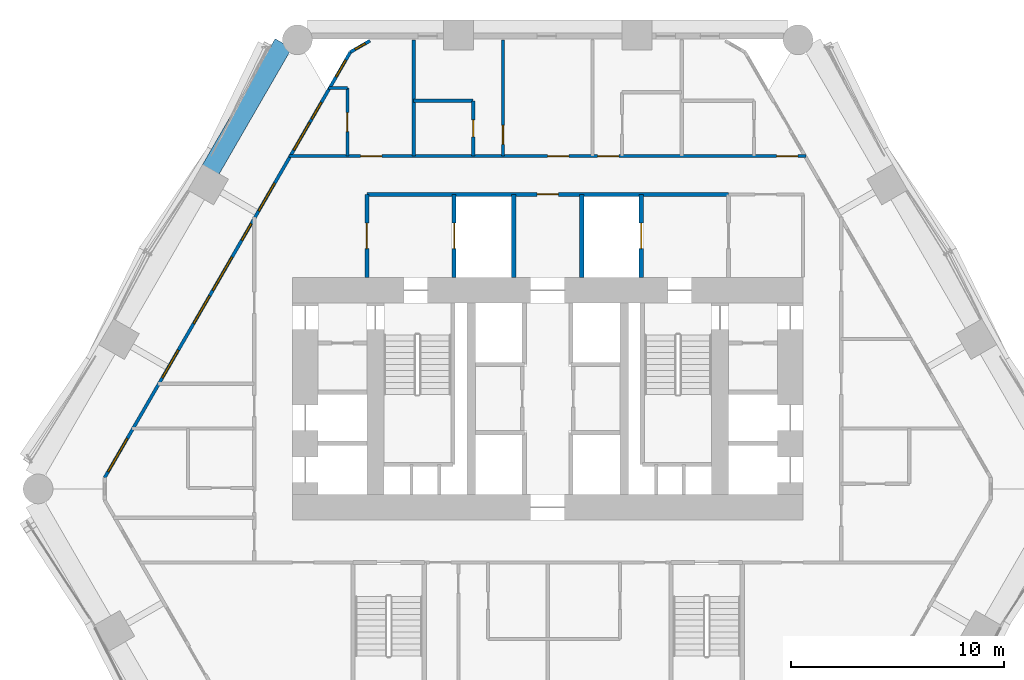
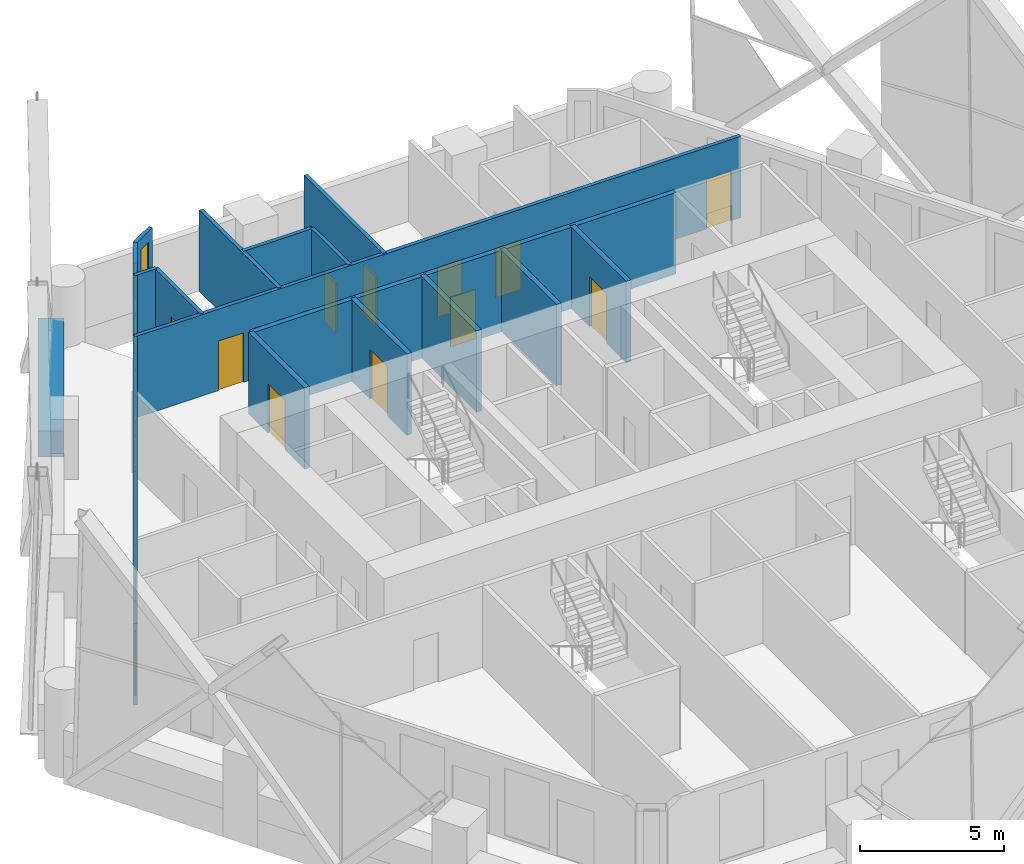
# One storey, part 14 of 22: 16 walls, 11 doors, 10 windows, 21 openings.
"""IFC4 building model written with IfcOpenShell, lengths in metres."""

from ifc_helpers import new_model, si_unit, direction, frame, frame_2d, origin, place, context, subcontext, project, spatial, rectangle, extrude, material, layer, layer_set, type_object, element, fill, save


model = new_model("IFC4")

# Units and contexts
model_context = context("Model", 3, precision=1e-05, world=origin(), true_north=direction((0.0, 1.0)))
body_context = subcontext(model_context, "Body", "Model", "MODEL_VIEW")
ifc_project = project(units=[si_unit("LENGTHUNIT", "METRE"), si_unit("AREAUNIT", "SQUARE_METRE"), si_unit("VOLUMEUNIT", "CUBIC_METRE"), si_unit("PLANEANGLEUNIT", "RADIAN"), si_unit("MASSUNIT", "GRAM", prefix="KILO")], contexts=[model_context])

# Site, building, storey
site_placement = place(None, origin())
site = spatial("IfcSite", under=ifc_project, at=site_placement, CompositionType="ELEMENT")
building_placement = place(site_placement, origin())
building = spatial("IfcBuilding", under=site, at=building_placement, Name="Ostrander Bayou Hotel Tower", CompositionType="ELEMENT")
storey_placement = place(building_placement, frame((0.0, 0.0, 46.75)))
storey = spatial("IfcBuildingStorey", under=building, at=storey_placement, Name="L11", CompositionType="ELEMENT", Elevation=46.75)

# Wall, openings, windows
ifc_material_1 = material(Name="Aluminium framed insulated wall", Category="aluminium")
ifc_layer_1 = layer(ifc_material_1, 0.14990234375)
ifc_layer_set_1 = layer_set([ifc_layer_1], Name="GW1 glass-line wall 150 mm")
wall_type_1 = type_object("IfcWallType", Name="GW1 glass-line wall 150 mm", PredefinedType="SOLIDWALL", material=ifc_layer_set_1)
wall_1_placement = place(storey_placement, frame((-9.27587890625, 20.29248046875, 0.0), z_axis=(0.0, 0.0, 1.0), x_axis=(-0.500006057782, -0.866021906294, 0.0)))
wall_1 = element("IfcWall", 1, at=wall_1_placement, inside=storey, type_object=wall_type_1, Name="GW1 L11 NW 1", PredefinedType="SOLIDWALL", context=body_context, shape_type="SweptSolid", body=[
    extrude(rectangle(XDim=23.100341796875, YDim=0.14990234375, at=frame_2d((11.55029296875, 0.0))), origin(), (0.0, 0.0, 1.0), 3.449951171875),
])
opening_1_placement = place(wall_1_placement, frame((2.73583984375, 0.0, 0.14990234375)))
opening_1 = element("IfcOpeningElement", 2, at=opening_1_placement, cuts=wall_1, Name="Opening W15", PredefinedType="OPENING", context=body_context, shape_type="SweptSolid", body=[
    extrude(rectangle(XDim=0.89990234375, YDim=2.85009765625, at=frame_2d((0.449951171875, 1.425048828125))), frame((0.0, 0.074951171875, 0.0), z_axis=(0.0, -1.0, 0.0), x_axis=(1.0, 0.0, 0.0)), (0.0, 0.0, 1.0), 0.14990234375),
])
opening_2_placement = place(wall_1_placement, frame((3.825439453125, 0.0, 0.14990234375)))
opening_2 = element("IfcOpeningElement", 3, at=opening_2_placement, cuts=wall_1, Name="Opening W11", PredefinedType="OPENING", context=body_context, shape_type="SweptSolid", body=[
    extrude(rectangle(XDim=1.5, YDim=2.85009765625, at=frame_2d((0.75, 1.425048828125))), frame((0.0, 0.074951171875, 0.0), z_axis=(0.0, -1.0, 0.0), x_axis=(1.0, 0.0, 0.0)), (0.0, 0.0, 1.0), 0.14990234375),
])
opening_3_placement = place(wall_1_placement, frame((9.31982421875, 0.0, 0.14990234375)))
opening_3 = element("IfcOpeningElement", 4, at=opening_3_placement, cuts=wall_1, Name="Opening W15", PredefinedType="OPENING", context=body_context, shape_type="SweptSolid", body=[
    extrude(rectangle(XDim=0.89990234375, YDim=2.85009765625, at=frame_2d((0.449951171875, 1.425048828125))), frame((0.0, 0.074951171875, 0.0), z_axis=(0.0, -1.0, 0.0), x_axis=(1.0, 0.0, 0.0)), (0.0, 0.0, 1.0), 0.14990234375),
])
opening_4_placement = place(wall_1_placement, frame((7.119873046875, 0.0, 0.14990234375)))
opening_4 = element("IfcOpeningElement", 5, at=opening_4_placement, cuts=wall_1, Name="Opening W11", PredefinedType="OPENING", context=body_context, shape_type="SweptSolid", body=[
    extrude(rectangle(XDim=1.5, YDim=2.85009765625, at=frame_2d((0.75, 1.425048828125))), frame((0.0, 0.074951171875, 0.0), z_axis=(0.0, -1.0, 0.0), x_axis=(1.0, 0.0, 0.0)), (0.0, 0.0, 1.0), 0.14990234375),
])
opening_5_placement = place(wall_1_placement, frame((11.1357421875, 0.0, 0.14990234375)))
opening_5 = element("IfcOpeningElement", 6, at=opening_5_placement, cuts=wall_1, Name="Opening W1", PredefinedType="OPENING", context=body_context, shape_type="SweptSolid", body=[
    extrude(rectangle(XDim=1.800048828125, YDim=2.85009765625, at=frame_2d((0.89990234375, 1.425048828125))), frame((0.0, 0.074951171875, 0.0), z_axis=(0.0, -1.0, 0.0), x_axis=(1.0, 0.0, 0.0)), (0.0, 0.0, 1.0), 0.14990234375),
])
opening_6_placement = place(wall_1_placement, frame((13.23583984375, 0.0, 0.14990234375)))
opening_6 = element("IfcOpeningElement", 7, at=opening_6_placement, cuts=wall_1, Name="Opening W11", PredefinedType="OPENING", context=body_context, shape_type="SweptSolid", body=[
    extrude(rectangle(XDim=1.5, YDim=2.85009765625, at=frame_2d((0.75, 1.425048828125))), frame((0.0, 0.074951171875, 0.0), z_axis=(0.0, -1.0, 0.0), x_axis=(1.0, 0.0, 0.0)), (0.0, 0.0, 1.0), 0.14990234375),
])
opening_7_placement = place(wall_1_placement, frame((16.180419921875, 0.0, 0.14990234375)))
opening_7 = element("IfcOpeningElement", 8, at=opening_7_placement, cuts=wall_1, Name="Opening W11", PredefinedType="OPENING", context=body_context, shape_type="SweptSolid", body=[
    extrude(rectangle(XDim=1.5, YDim=2.85009765625, at=frame_2d((0.75, 1.425048828125))), frame((0.0, 0.074951171875, 0.0), z_axis=(0.0, -1.0, 0.0), x_axis=(1.0, 0.0, 0.0)), (0.0, 0.0, 1.0), 0.14990234375),
])
opening_8_placement = place(wall_1_placement, frame((0.440185546875, 0.0, 0.14990234375)))
opening_8 = element("IfcOpeningElement", 9, at=opening_8_placement, cuts=wall_1, Name="Opening W15", PredefinedType="OPENING", context=body_context, shape_type="SweptSolid", body=[
    extrude(rectangle(XDim=0.89990234375, YDim=2.72998046875, at=frame_2d((0.449951171875, 1.364990234375))), frame((0.0, 0.074951171875, 0.0), z_axis=(0.0, -1.0, 0.0), x_axis=(1.0, 0.0, 0.0)), (0.0, 0.0, 1.0), 0.14990234375),
])
opening_9_placement = place(wall_1_placement, frame((20.97802734375, 0.0, 0.14990234375)))
opening_9 = element("IfcOpeningElement", 10, at=opening_9_placement, cuts=wall_1, Name="Opening W1", PredefinedType="OPENING", context=body_context, shape_type="SweptSolid", body=[
    extrude(rectangle(XDim=1.800048828125, YDim=2.72998046875, at=frame_2d((0.89990234375, 1.364990234375))), frame((0.0, 0.074951171875, 0.0), z_axis=(0.0, -1.0, 0.0), x_axis=(1.0, 0.0, 0.0)), (0.0, 0.0, 1.0), 0.14990234375),
])
ifc_material_2 = material(Name="Aluminium and clear glass", Category="aluminium")
window_type_1 = type_object("IfcWindowType", Name="W1 fixed window 1800 mm, zone 1", PartitioningType="SINGLE_PANEL", PredefinedType="WINDOW", material=ifc_material_2)
window_1_placement = place(opening_5_placement, origin())
window_1 = element("IfcWindow", 11, at=window_1_placement, inside=storey, type_object=window_type_1, Name="W1 L11 NW 3", OverallHeight=2.85009765625, OverallWidth=1.800048828125, PartitioningType="SINGLE_PANEL", PredefinedType="WINDOW", context=body_context, shape_type="SweptSolid", body=[
    extrude(rectangle(XDim=1.800048828125, YDim=2.85009765625, at=frame_2d((0.89990234375, 1.425048828125))), frame((0.0, 0.030029296875, 0.0), z_axis=(0.0, -1.0, 0.0), x_axis=(1.0, 0.0, 0.0)), (0.0, 0.0, 1.0), 0.06005859375),
])
fill(opening_5, window_1)
window_2_placement = place(opening_9_placement, origin())
window_2 = element("IfcWindow", 12, at=window_2_placement, inside=storey, type_object=window_type_1, Name="W1 L11 NW E22", OverallHeight=2.72998046875, OverallWidth=1.800048828125, PartitioningType="SINGLE_PANEL", PredefinedType="WINDOW", context=body_context, shape_type="SweptSolid", body=[
    extrude(rectangle(XDim=1.800048828125, YDim=2.72998046875, at=frame_2d((0.89990234375, 1.364990234375))), frame((0.0, 0.030029296875, 0.0), z_axis=(0.0, -1.0, 0.0), x_axis=(1.0, 0.0, 0.0)), (0.0, 0.0, 1.0), 0.06005859375),
])
fill(opening_9, window_2)
ifc_material_3 = material(Name="Aluminium and clear glass", Category="aluminium")
window_type_2 = type_object("IfcWindowType", Name="W11 fixed window 1500 mm, bath bay, zone 1", PartitioningType="SINGLE_PANEL", PredefinedType="WINDOW", material=ifc_material_3)
window_3_placement = place(opening_2_placement, origin())
window_3 = element("IfcWindow", 13, at=window_3_placement, inside=storey, type_object=window_type_2, Name="W11 L11 NW 1", OverallHeight=2.85009765625, OverallWidth=1.5, PartitioningType="SINGLE_PANEL", PredefinedType="WINDOW", context=body_context, shape_type="SweptSolid", body=[
    extrude(rectangle(XDim=1.5, YDim=2.85009765625, at=frame_2d((0.75, 1.425048828125))), frame((0.0, 0.030029296875, 0.0), z_axis=(0.0, -1.0, 0.0), x_axis=(1.0, 0.0, 0.0)), (0.0, 0.0, 1.0), 0.06005859375),
])
fill(opening_2, window_3)
window_4_placement = place(opening_4_placement, origin())
window_4 = element("IfcWindow", 14, at=window_4_placement, inside=storey, type_object=window_type_2, Name="W11 L11 NW 2", OverallHeight=2.85009765625, OverallWidth=1.5, PartitioningType="SINGLE_PANEL", PredefinedType="WINDOW", context=body_context, shape_type="SweptSolid", body=[
    extrude(rectangle(XDim=1.5, YDim=2.85009765625, at=frame_2d((0.75, 1.425048828125))), frame((0.0, 0.030029296875, 0.0), z_axis=(0.0, -1.0, 0.0), x_axis=(1.0, 0.0, 0.0)), (0.0, 0.0, 1.0), 0.06005859375),
])
fill(opening_4, window_4)
window_5_placement = place(opening_6_placement, origin())
window_5 = element("IfcWindow", 15, at=window_5_placement, inside=storey, type_object=window_type_2, Name="W11 L11 NW 3", OverallHeight=2.85009765625, OverallWidth=1.5, PartitioningType="SINGLE_PANEL", PredefinedType="WINDOW", context=body_context, shape_type="SweptSolid", body=[
    extrude(rectangle(XDim=1.5, YDim=2.85009765625, at=frame_2d((0.75, 1.425048828125))), frame((0.0, 0.030029296875, 0.0), z_axis=(0.0, -1.0, 0.0), x_axis=(1.0, 0.0, 0.0)), (0.0, 0.0, 1.0), 0.06005859375),
])
fill(opening_6, window_5)
window_6_placement = place(opening_7_placement, origin())
window_6 = element("IfcWindow", 16, at=window_6_placement, inside=storey, type_object=window_type_2, Name="W11 L11 NW 4", OverallHeight=2.85009765625, OverallWidth=1.5, PartitioningType="SINGLE_PANEL", PredefinedType="WINDOW", context=body_context, shape_type="SweptSolid", body=[
    extrude(rectangle(XDim=1.5, YDim=2.85009765625, at=frame_2d((0.75, 1.425048828125))), frame((0.0, 0.030029296875, 0.0), z_axis=(0.0, -1.0, 0.0), x_axis=(1.0, 0.0, 0.0)), (0.0, 0.0, 1.0), 0.06005859375),
])
fill(opening_7, window_6)
ifc_material_4 = material(Name="Aluminium and clear glass", Category="aluminium")
window_type_3 = type_object("IfcWindowType", Name="W15 window 900 mm, zone 1", PartitioningType="SINGLE_PANEL", PredefinedType="WINDOW", material=ifc_material_4)
window_7_placement = place(opening_1_placement, origin())
window_7 = element("IfcWindow", 17, at=window_7_placement, inside=storey, type_object=window_type_3, Name="W15 L11 NW 1", OverallHeight=2.85009765625, OverallWidth=0.89990234375, PartitioningType="SINGLE_PANEL", PredefinedType="WINDOW", context=body_context, shape_type="SweptSolid", body=[
    extrude(rectangle(XDim=0.89990234375, YDim=2.85009765625, at=frame_2d((0.449951171875, 1.425048828125))), frame((0.0, 0.030029296875, 0.0), z_axis=(0.0, -1.0, 0.0), x_axis=(1.0, 0.0, 0.0)), (0.0, 0.0, 1.0), 0.06005859375),
])
fill(opening_1, window_7)
window_8_placement = place(opening_3_placement, origin())
window_8 = element("IfcWindow", 18, at=window_8_placement, inside=storey, type_object=window_type_3, Name="W15 L11 NW 2", OverallHeight=2.85009765625, OverallWidth=0.89990234375, PartitioningType="SINGLE_PANEL", PredefinedType="WINDOW", context=body_context, shape_type="SweptSolid", body=[
    extrude(rectangle(XDim=0.89990234375, YDim=2.85009765625, at=frame_2d((0.449951171875, 1.425048828125))), frame((0.0, 0.030029296875, 0.0), z_axis=(0.0, -1.0, 0.0), x_axis=(1.0, 0.0, 0.0)), (0.0, 0.0, 1.0), 0.06005859375),
])
fill(opening_3, window_8)
window_9_placement = place(opening_8_placement, origin())
window_9 = element("IfcWindow", 19, at=window_9_placement, inside=storey, type_object=window_type_3, Name="W15 L11 NW E11", OverallHeight=2.72998046875, OverallWidth=0.89990234375, PartitioningType="SINGLE_PANEL", PredefinedType="WINDOW", context=body_context, shape_type="SweptSolid", body=[
    extrude(rectangle(XDim=0.89990234375, YDim=2.72998046875, at=frame_2d((0.449951171875, 1.364990234375))), frame((0.0, 0.030029296875, 0.0), z_axis=(0.0, -1.0, 0.0), x_axis=(1.0, 0.0, 0.0)), (0.0, 0.0, 1.0), 0.06005859375),
])
fill(opening_8, window_9)

# Wall, opening, window
wall_2_placement = place(storey_placement, frame((-8.353759765625, 20.824951171875, 0.0), z_axis=(0.0, 0.0, 1.0), x_axis=(-0.865990848561, -0.500059846627, 0.0)))
wall_2 = element("IfcWall", 20, at=wall_2_placement, inside=storey, type_object=wall_type_1, Name="GW1 L11 corner 1", PredefinedType="SOLIDWALL", context=body_context, shape_type="SweptSolid", body=[
    extrude(rectangle(XDim=1.064697265625, YDim=0.14990234375, at=frame_2d((0.5322265625, 0.0))), origin(), (0.0, 0.0, 1.0), 3.449951171875),
])
opening_10_placement = place(wall_2_placement, frame((0.257568359375, 0.0, 0.14990234375)))
opening_10 = element("IfcOpeningElement", 21, at=opening_10_placement, cuts=wall_2, Name="Opening W19", PredefinedType="OPENING", context=body_context, shape_type="SweptSolid", body=[
    extrude(rectangle(XDim=0.550048828125, YDim=2.85009765625, at=frame_2d((0.27490234375, 1.425048828125))), frame((0.0, 0.074951171875, 0.0), z_axis=(0.0, -1.0, 0.0), x_axis=(1.0, 0.0, 0.0)), (0.0, 0.0, 1.0), 0.14990234375),
])
ifc_material_5 = material(Name="Aluminium and clear glass", Category="aluminium")
window_type_4 = type_object("IfcWindowType", Name="W19 corner window 550 mm", PartitioningType="SINGLE_PANEL", PredefinedType="WINDOW", material=ifc_material_5)
window_10_placement = place(opening_10_placement, origin())
window_10 = element("IfcWindow", 22, at=window_10_placement, inside=storey, type_object=window_type_4, Name="W19 L11 corner 1", OverallHeight=2.85009765625, OverallWidth=0.550048828125, PartitioningType="SINGLE_PANEL", PredefinedType="WINDOW", context=body_context, shape_type="SweptSolid", body=[
    extrude(rectangle(XDim=0.550048828125, YDim=2.85009765625, at=frame_2d((0.27490234375, 1.425048828125))), frame((0.0, 0.030029296875, 0.0), z_axis=(0.0, -1.0, 0.0), x_axis=(1.0, 0.0, 0.0)), (0.0, 0.0, 1.0), 0.06005859375),
])
fill(opening_10, window_10)

# Wall
ifc_material_6 = material(Name="Concrete f'c 40 MPa", Category="concrete")
ifc_layer_2 = layer(ifc_material_6, 0.89990234375)
ifc_layer_set_2 = layer_set([ifc_layer_2], Name="PA1 stone-faced parapet 900 mm")
wall_type_2 = type_object("IfcWallType", Name="PA1 stone-faced parapet 900 mm", PredefinedType="PARAPET", material=ifc_layer_set_2)
wall_3_placement = place(storey_placement, frame((-12.421630859375, 20.694091796875, 0.0), z_axis=(0.0, 0.0, 1.0), x_axis=(-0.499994135611, -0.866028789565, 0.0)))
element("IfcWall", 23, at=wall_3_placement, inside=storey, type_object=wall_type_2, Name="PA1 L11 NW-1", PredefinedType="PARAPET", context=body_context, shape_type="SweptSolid", body=[
    extrude(rectangle(XDim=6.84521484375, YDim=0.89990234375, at=frame_2d((3.422607421875, 0.0))), origin(), (0.0, 0.0, 1.0), 1.10009765625),
])

# Wall, opening, door
ifc_material_7 = material(Name="Masonry block", Category="masonry")
ifc_layer_3 = layer(ifc_material_7, 0.199951171875)
ifc_layer_set_3 = layer_set([ifc_layer_3], Name="PT5 stair enclosure wall 200 mm masonry, 2 hour")
wall_type_3 = type_object("IfcWallType", Name="PT5 stair enclosure wall 200 mm masonry, 2 hour", PredefinedType="PARTITIONING", material=ifc_layer_set_3)
wall_4_placement = place(storey_placement, frame((-8.5, 13.60009765625, 0.0), z_axis=(0.0, 0.0, 1.0), x_axis=(1.0, 0.0, 0.0)))
wall_4 = element("IfcWall", 24, at=wall_4_placement, inside=storey, type_object=wall_type_3, Name="cs:L11:027", PredefinedType="PARTITIONING", context=body_context, shape_type="SweptSolid", body=[
    extrude(rectangle(XDim=17.0, YDim=0.199951171875, at=frame_2d((8.5, 0.0))), origin(), (0.0, 0.0, 1.0), 3.449951171875),
])
opening_11_placement = place(wall_4_placement, frame((8.0, 0.0, 0.0)))
opening_11 = element("IfcOpeningElement", 25, at=opening_11_placement, cuts=wall_4, Name="Opening T09-013", PredefinedType="OPENING", context=body_context, shape_type="SweptSolid", body=[
    extrude(rectangle(XDim=1.0, YDim=2.10009765625, at=frame_2d((0.5, 1.050048828125))), frame((0.0, 0.10009765625, 0.0), z_axis=(0.0, -1.0, 0.0), x_axis=(1.0, 0.0, 0.0)), (0.0, 0.0, 1.0), 0.199951171875),
])
ifc_material_8 = material(Name="Timber door leaf", Category="wood")
door_type_1 = type_object("IfcDoorType", Name="D9 service door 1000 x 2100 mm, 30 minute", OperationType="SINGLE_SWING_LEFT", PredefinedType="DOOR", material=ifc_material_8)
door_1_placement = place(opening_11_placement, origin())
door_1 = element("IfcDoor", 26, at=door_1_placement, inside=storey, type_object=door_type_1, Name="dr:L11:013", OperationType="SINGLE_SWING_LEFT", OverallHeight=2.10009765625, OverallWidth=1.0, PredefinedType="DOOR", context=body_context, shape_type="SweptSolid", body=[
    extrude(rectangle(XDim=1.0, YDim=2.10009765625, at=frame_2d((0.5, 1.050048828125))), frame((0.0, 0.02490234375, 0.0), z_axis=(0.0, -1.0, 0.0), x_axis=(1.0, 0.0, 0.0)), (0.0, 0.0, 1.0), 0.050048828125),
])
fill(opening_11, door_1)

wall_5_placement = place(storey_placement, frame((-8.5, 9.699951171875, 0.0), z_axis=(0.0, 0.0, 1.0), x_axis=(0.0, 1.0, 0.0)))
wall_5 = element("IfcWall", 27, at=wall_5_placement, inside=storey, type_object=wall_type_3, Name="cs:L11:028", PredefinedType="PARTITIONING", context=body_context, shape_type="SweptSolid", body=[
    extrude(rectangle(XDim=3.900146484375, YDim=0.199951171875, at=frame_2d((1.9501953125, 0.0))), origin(), (0.0, 0.0, 1.0), 3.449951171875),
])
opening_12_placement = place(wall_5_placement, frame((1.35009765625, 0.0, 0.0)))
opening_12 = element("IfcOpeningElement", 28, at=opening_12_placement, cuts=wall_5, Name="Opening T09-010", PredefinedType="OPENING", context=body_context, shape_type="SweptSolid", body=[
    extrude(rectangle(XDim=1.199951171875, YDim=2.10009765625, at=frame_2d((0.60009765625, 1.050048828125))), frame((0.0, 0.10009765625, 0.0), z_axis=(0.0, -1.0, 0.0), x_axis=(1.0, 0.0, 0.0)), (0.0, 0.0, 1.0), 0.199951171875),
])
ifc_material_9 = material(Name="Timber door leaf", Category="wood")
door_type_2 = type_object("IfcDoorType", Name="D7 lobby door 1200 x 2100 mm, 1 hour", OperationType="SINGLE_SWING_LEFT", PredefinedType="DOOR", material=ifc_material_9)
door_2_placement = place(opening_12_placement, origin())
door_2 = element("IfcDoor", 29, at=door_2_placement, inside=storey, type_object=door_type_2, Name="dr:L11:010", OperationType="SINGLE_SWING_LEFT", OverallHeight=2.10009765625, OverallWidth=1.199951171875, PredefinedType="DOOR", context=body_context, shape_type="SweptSolid", body=[
    extrude(rectangle(XDim=1.199951171875, YDim=2.10009765625, at=frame_2d((0.60009765625, 1.050048828125))), frame((0.0, 0.02490234375, 0.0), z_axis=(0.0, -1.0, 0.0), x_axis=(1.0, 0.0, 0.0)), (0.0, 0.0, 1.0), 0.050048828125),
])
fill(opening_12, door_2)

wall_6_placement = place(storey_placement, frame((-4.39990234375, 9.699951171875, 0.0), z_axis=(0.0, 0.0, 1.0), x_axis=(0.0, 1.0, 0.0)))
wall_6 = element("IfcWall", 30, at=wall_6_placement, inside=storey, type_object=wall_type_3, Name="cs:L11:030", PredefinedType="PARTITIONING", context=body_context, shape_type="SweptSolid", body=[
    extrude(rectangle(XDim=3.900146484375, YDim=0.199951171875, at=frame_2d((1.9501953125, 0.0))), origin(), (0.0, 0.0, 1.0), 3.449951171875),
])
opening_13_placement = place(wall_6_placement, frame((1.35009765625, 0.0, 0.0)))
opening_13 = element("IfcOpeningElement", 31, at=opening_13_placement, cuts=wall_6, Name="Opening T09-009", PredefinedType="OPENING", context=body_context, shape_type="SweptSolid", body=[
    extrude(rectangle(XDim=1.199951171875, YDim=2.10009765625, at=frame_2d((0.60009765625, 1.050048828125))), frame((0.0, 0.10009765625, 0.0), z_axis=(0.0, -1.0, 0.0), x_axis=(1.0, 0.0, 0.0)), (0.0, 0.0, 1.0), 0.199951171875),
])
ifc_material_10 = material(Name="Stainless steel sliding door", Category="steel")
door_type_3 = type_object("IfcDoorType", Name="LD1 lift landing door 1200 x 2100 mm", OperationType="SINGLE_SWING_LEFT", PredefinedType="DOOR", material=ifc_material_10)
door_3_placement = place(opening_13_placement, origin())
door_3 = element("IfcDoor", 32, at=door_3_placement, inside=storey, type_object=door_type_3, Name="dr:L11:009", OperationType="SLIDING_TO_LEFT", OverallHeight=2.10009765625, OverallWidth=1.199951171875, PredefinedType="DOOR", context=body_context, shape_type="SweptSolid", body=[
    extrude(rectangle(XDim=1.199951171875, YDim=2.10009765625, at=frame_2d((0.60009765625, 1.050048828125))), frame((0.0, 0.02490234375, 0.0), z_axis=(0.0, -1.0, 0.0), x_axis=(1.0, 0.0, 0.0)), (0.0, 0.0, 1.0), 0.050048828125),
])
fill(opening_13, door_3)

wall_7_placement = place(storey_placement, frame((4.39990234375, 9.699951171875, 0.0), z_axis=(0.0, 0.0, 1.0), x_axis=(0.0, 1.0, 0.0)))
wall_7 = element("IfcWall", 33, at=wall_7_placement, inside=storey, type_object=wall_type_3, Name="cs:L11:031", PredefinedType="PARTITIONING", context=body_context, shape_type="SweptSolid", body=[
    extrude(rectangle(XDim=3.900146484375, YDim=0.199951171875, at=frame_2d((1.9501953125, 0.0))), origin(), (0.0, 0.0, 1.0), 3.449951171875),
])
opening_14_placement = place(wall_7_placement, frame((1.35009765625, 0.0, 0.0)))
opening_14 = element("IfcOpeningElement", 34, at=opening_14_placement, cuts=wall_7, Name="Opening T09-011", PredefinedType="OPENING", context=body_context, shape_type="SweptSolid", body=[
    extrude(rectangle(XDim=1.199951171875, YDim=2.10009765625, at=frame_2d((0.60009765625, 1.050048828125))), frame((0.0, 0.10009765625, 0.0), z_axis=(0.0, -1.0, 0.0), x_axis=(1.0, 0.0, 0.0)), (0.0, 0.0, 1.0), 0.199951171875),
])
door_4_placement = place(opening_14_placement, origin())
door_4 = element("IfcDoor", 35, at=door_4_placement, inside=storey, type_object=door_type_3, Name="dr:L11:011", OperationType="SLIDING_TO_LEFT", OverallHeight=2.10009765625, OverallWidth=1.199951171875, PredefinedType="DOOR", context=body_context, shape_type="SweptSolid", body=[
    extrude(rectangle(XDim=1.199951171875, YDim=2.10009765625, at=frame_2d((0.60009765625, 1.050048828125))), frame((0.0, 0.02490234375, 0.0), z_axis=(0.0, -1.0, 0.0), x_axis=(1.0, 0.0, 0.0)), (0.0, 0.0, 1.0), 0.050048828125),
])
fill(opening_14, door_4)

# Walls
ifc_material_11 = material(Name="Masonry block", Category="masonry")
ifc_layer_4 = layer(ifc_material_11, 0.199951171875)
ifc_layer_set_4 = layer_set([ifc_layer_4], Name="PT6 lift shaft wall 200 mm masonry, 2 hour")
wall_type_4 = type_object("IfcWallType", Name="PT6 lift shaft wall 200 mm masonry, 2 hour", PredefinedType="PARTITIONING", material=ifc_layer_set_4)
for number, where, z_axis, x_axis, name in (
    (36, (-1.60009765625, 9.699951171875, 0.0), (0.0, 0.0, 1.0), (0.0, 1.0, 0.0), "cs:L11:032"),
    (37, (1.60009765625, 9.699951171875, 0.0), (0.0, 0.0, 1.0), (0.0, 1.0, 0.0), "cs:L11:033"),
):
    element("IfcWall", number, at=place(storey_placement, frame(where, z_axis=z_axis, x_axis=x_axis)), inside=storey, type_object=wall_type_4, Name=name, PredefinedType="PARTITIONING", context=body_context, shape_type="SweptSolid", body=[
        extrude(rectangle(XDim=3.900146484375, YDim=0.199951171875, at=frame_2d((1.9501953125, 0.0))), origin(), (0.0, 0.0, 1.0), 3.449951171875),
    ])

# Wall, openings, doors
ifc_material_12 = material(Name="Gypsum board partition", Category="finish")
ifc_layer_5 = layer(ifc_material_12, 0.14990234375)
ifc_layer_set_5 = layer_set([ifc_layer_5], Name="PT8 service band wall 150 mm, 1 hour")
wall_type_5 = type_object("IfcWallType", Name="PT8 service band wall 150 mm, 1 hour", PredefinedType="PARTITIONING", material=ifc_layer_set_5)
wall_8_placement = place(storey_placement, frame((-12.153076171875, 15.39990234375, 0.0), z_axis=(0.0, 0.0, 1.0), x_axis=(1.0, 0.0, 0.0)))
wall_8 = element("IfcWall", 38, at=wall_8_placement, inside=storey, type_object=wall_type_5, Name="gw:L11:013", PredefinedType="PARTITIONING", context=body_context, shape_type="SweptSolid", body=[
    extrude(rectangle(XDim=24.30615234375, YDim=0.14990234375, at=frame_2d((12.153076171875, 0.0))), origin(), (0.0, 0.0, 1.0), 3.449951171875),
])
opening_15_placement = place(wall_8_placement, frame((3.35302734375, 0.0, 0.0)))
opening_15 = element("IfcOpeningElement", 39, at=opening_15_placement, cuts=wall_8, Name="Opening T09-416", PredefinedType="OPENING", context=body_context, shape_type="SweptSolid", body=[
    extrude(rectangle(XDim=1.0, YDim=2.10009765625, at=frame_2d((0.5, 1.050048828125))), frame((0.0, 0.074951171875, 0.0), z_axis=(0.0, -1.0, 0.0), x_axis=(1.0, 0.0, 0.0)), (0.0, 0.0, 1.0), 0.14990234375),
])
opening_16_placement = place(wall_8_placement, frame((12.153076171875, 0.0, 0.0)))
opening_16 = element("IfcOpeningElement", 40, at=opening_16_placement, cuts=wall_8, Name="Opening T09-418", PredefinedType="OPENING", context=body_context, shape_type="SweptSolid", body=[
    extrude(rectangle(XDim=1.0, YDim=2.10009765625, at=frame_2d((0.5, 1.050048828125))), frame((0.0, 0.074951171875, 0.0), z_axis=(0.0, -1.0, 0.0), x_axis=(1.0, 0.0, 0.0)), (0.0, 0.0, 1.0), 0.14990234375),
])
opening_17_placement = place(wall_8_placement, frame((14.5029296875, 0.0, 0.0)))
opening_17 = element("IfcOpeningElement", 41, at=opening_17_placement, cuts=wall_8, Name="Opening T09-421", PredefinedType="OPENING", context=body_context, shape_type="SweptSolid", body=[
    extrude(rectangle(XDim=1.0, YDim=2.10009765625, at=frame_2d((0.5, 1.050048828125))), frame((0.0, 0.074951171875, 0.0), z_axis=(0.0, -1.0, 0.0), x_axis=(1.0, 0.0, 0.0)), (0.0, 0.0, 1.0), 0.14990234375),
])
opening_18_placement = place(wall_8_placement, frame((22.91796875, 0.0, 0.0)))
opening_18 = element("IfcOpeningElement", 42, at=opening_18_placement, cuts=wall_8, Name="Opening T09-423", PredefinedType="OPENING", context=body_context, shape_type="SweptSolid", body=[
    extrude(rectangle(XDim=1.0, YDim=2.10009765625, at=frame_2d((0.5, 1.050048828125))), frame((0.0, 0.074951171875, 0.0), z_axis=(0.0, -1.0, 0.0), x_axis=(1.0, 0.0, 0.0)), (0.0, 0.0, 1.0), 0.14990234375),
])
ifc_material_13 = material(Name="Timber door leaf", Category="wood")
door_type_4 = type_object("IfcDoorType", Name="D1 guest room door 1000 x 2100 mm, 30 minute", OperationType="SINGLE_SWING_LEFT", PredefinedType="DOOR", material=ifc_material_13)
door_5_placement = place(opening_16_placement, origin())
door_5 = element("IfcDoor", 43, at=door_5_placement, inside=storey, type_object=door_type_4, Name="dr:L11:418", OperationType="SINGLE_SWING_RIGHT", OverallHeight=2.10009765625, OverallWidth=1.0, PredefinedType="DOOR", context=body_context, shape_type="SweptSolid", body=[
    extrude(rectangle(XDim=1.0, YDim=2.10009765625, at=frame_2d((0.5, 1.050048828125))), frame((0.0, 0.02490234375, 0.0), z_axis=(0.0, -1.0, 0.0), x_axis=(1.0, 0.0, 0.0)), (0.0, 0.0, 1.0), 0.050048828125),
])
fill(opening_16, door_5)
door_6_placement = place(opening_17_placement, origin())
door_6 = element("IfcDoor", 44, at=door_6_placement, inside=storey, type_object=door_type_4, Name="dr:L11:421", OperationType="SINGLE_SWING_LEFT", OverallHeight=2.10009765625, OverallWidth=1.0, PredefinedType="DOOR", context=body_context, shape_type="SweptSolid", body=[
    extrude(rectangle(XDim=1.0, YDim=2.10009765625, at=frame_2d((0.5, 1.050048828125))), frame((0.0, 0.02490234375, 0.0), z_axis=(0.0, -1.0, 0.0), x_axis=(1.0, 0.0, 0.0)), (0.0, 0.0, 1.0), 0.050048828125),
])
fill(opening_17, door_6)
door_7_placement = place(opening_18_placement, origin())
door_7 = element("IfcDoor", 45, at=door_7_placement, inside=storey, type_object=door_type_4, Name="dr:L11:423", OperationType="SINGLE_SWING_RIGHT", OverallHeight=2.10009765625, OverallWidth=1.0, PredefinedType="DOOR", context=body_context, shape_type="SweptSolid", body=[
    extrude(rectangle(XDim=1.0, YDim=2.10009765625, at=frame_2d((0.5, 1.050048828125))), frame((0.0, 0.02490234375, 0.0), z_axis=(0.0, -1.0, 0.0), x_axis=(1.0, 0.0, 0.0)), (0.0, 0.0, 1.0), 0.050048828125),
])
fill(opening_18, door_7)
ifc_material_14 = material(Name="Timber door leaf", Category="wood")
door_type_5 = type_object("IfcDoorType", Name="D15 room door 1000 x 2100 mm", OperationType="SINGLE_SWING_LEFT", PredefinedType="DOOR", material=ifc_material_14)
door_8_placement = place(opening_15_placement, origin())
door_8 = element("IfcDoor", 46, at=door_8_placement, inside=storey, type_object=door_type_5, Name="dr:L11:416", OperationType="SINGLE_SWING_RIGHT", OverallHeight=2.10009765625, OverallWidth=1.0, PredefinedType="DOOR", context=body_context, shape_type="SweptSolid", body=[
    extrude(rectangle(XDim=1.0, YDim=2.10009765625, at=frame_2d((0.5, 1.050048828125))), frame((0.0, 0.02490234375, 0.0), z_axis=(0.0, -1.0, 0.0), x_axis=(1.0, 0.0, 0.0)), (0.0, 0.0, 1.0), 0.050048828125),
])
fill(opening_15, door_8)

# Walls
wall_9_placement = place(storey_placement, frame((-6.300048828125, 18.0, 0.0), z_axis=(0.0, 0.0, 1.0), x_axis=(1.0, 0.0, 0.0)))
element("IfcWall", 47, at=wall_9_placement, inside=storey, type_object=wall_type_5, Name="gw:L11:014", PredefinedType="PARTITIONING", context=body_context, shape_type="SweptSolid", body=[
    extrude(rectangle(XDim=2.800048828125, YDim=0.14990234375, at=frame_2d((1.39990234375, 0.0))), origin(), (0.0, 0.0, 1.0), 3.449951171875),
])
wall_10_placement = place(storey_placement, frame((-10.304931640625, 18.60009765625, 0.0), z_axis=(0.0, 0.0, 1.0), x_axis=(1.0, 0.0, 0.0)))
element("IfcWall", 48, at=wall_10_placement, inside=storey, type_object=wall_type_5, Name="gw:L11:017", PredefinedType="PARTITIONING", context=body_context, shape_type="SweptSolid", body=[
    extrude(rectangle(XDim=0.889892578125, YDim=0.14990234375, at=frame_2d((0.44482421875, 0.0))), origin(), (0.0, 0.0, 1.0), 3.449951171875),
])

# Wall, opening, door
wall_11_placement = place(storey_placement, frame((-2.10009765625, 15.39990234375, 0.0), z_axis=(0.0, 0.0, 1.0), x_axis=(0.0, 1.0, 0.0)))
wall_11 = element("IfcWall", 49, at=wall_11_placement, inside=storey, type_object=wall_type_5, Name="gw:L11:029", PredefinedType="PARTITIONING", context=body_context, shape_type="SweptSolid", body=[
    extrude(rectangle(XDim=5.47021484375, YDim=0.14990234375, at=frame_2d((2.735107421875, 0.0))), origin(), (0.0, 0.0, 1.0), 3.449951171875),
])
opening_19_placement = place(wall_11_placement, frame((0.550048828125, 0.0, 0.0)))
opening_19 = element("IfcOpeningElement", 50, at=opening_19_placement, cuts=wall_11, Name="Opening T09-419", PredefinedType="OPENING", context=body_context, shape_type="SweptSolid", body=[
    extrude(rectangle(XDim=0.89990234375, YDim=2.10009765625, at=frame_2d((0.449951171875, 1.050048828125))), frame((0.0, 0.074951171875, 0.0), z_axis=(0.0, -1.0, 0.0), x_axis=(1.0, 0.0, 0.0)), (0.0, 0.0, 1.0), 0.14990234375),
])
ifc_material_15 = material(Name="Timber door leaf", Category="wood")
door_type_6 = type_object("IfcDoorType", Name="D8 room door 900 x 2100 mm", OperationType="SINGLE_SWING_LEFT", PredefinedType="DOOR", material=ifc_material_15)
door_9_placement = place(opening_19_placement, origin())
door_9 = element("IfcDoor", 51, at=door_9_placement, inside=storey, type_object=door_type_6, Name="dr:L11:419", OperationType="SINGLE_SWING_LEFT", OverallHeight=2.10009765625, OverallWidth=0.89990234375, PredefinedType="DOOR", context=body_context, shape_type="SweptSolid", body=[
    extrude(rectangle(XDim=0.89990234375, YDim=2.10009765625, at=frame_2d((0.449951171875, 1.050048828125))), frame((0.0, 0.02490234375, 0.0), z_axis=(0.0, -1.0, 0.0), x_axis=(1.0, 0.0, 0.0)), (0.0, 0.0, 1.0), 0.050048828125),
])
fill(opening_19, door_9)

wall_12_placement = place(storey_placement, frame((-3.5, 15.39990234375, 0.0), z_axis=(0.0, 0.0, 1.0), x_axis=(0.0, 1.0, 0.0)))
wall_12 = element("IfcWall", 52, at=wall_12_placement, inside=storey, type_object=wall_type_5, Name="gw:L11:031", PredefinedType="PARTITIONING", context=body_context, shape_type="SweptSolid", body=[
    extrude(rectangle(XDim=2.60009765625, YDim=0.14990234375, at=frame_2d((1.300048828125, 0.0))), origin(), (0.0, 0.0, 1.0), 3.449951171875),
])
opening_20_placement = place(wall_12_placement, frame((0.89990234375, 0.0, 0.0)))
opening_20 = element("IfcOpeningElement", 53, at=opening_20_placement, cuts=wall_12, Name="Opening T09-420", PredefinedType="OPENING", context=body_context, shape_type="SweptSolid", body=[
    extrude(rectangle(XDim=0.800048828125, YDim=2.10009765625, at=frame_2d((0.39990234375, 1.050048828125))), frame((0.0, 0.074951171875, 0.0), z_axis=(0.0, -1.0, 0.0), x_axis=(1.0, 0.0, 0.0)), (0.0, 0.0, 1.0), 0.14990234375),
])
ifc_material_16 = material(Name="Timber door leaf", Category="wood")
door_type_7 = type_object("IfcDoorType", Name="D2 bathroom door 800 x 2100 mm", OperationType="SINGLE_SWING_LEFT", PredefinedType="DOOR", material=ifc_material_16)
door_10_placement = place(opening_20_placement, origin())
door_10 = element("IfcDoor", 54, at=door_10_placement, inside=storey, type_object=door_type_7, Name="dr:L11:420", OperationType="SINGLE_SWING_LEFT", OverallHeight=2.10009765625, OverallWidth=0.800048828125, PredefinedType="DOOR", context=body_context, shape_type="SweptSolid", body=[
    extrude(rectangle(XDim=0.800048828125, YDim=2.10009765625, at=frame_2d((0.39990234375, 1.050048828125))), frame((0.0, 0.02490234375, 0.0), z_axis=(0.0, -1.0, 0.0), x_axis=(1.0, 0.0, 0.0)), (0.0, 0.0, 1.0), 0.050048828125),
])
fill(opening_20, door_10)

# Wall
wall_13_placement = place(storey_placement, frame((-6.300048828125, 15.39990234375, 0.0), z_axis=(0.0, 0.0, 1.0), x_axis=(0.0, 1.0, 0.0)))
element("IfcWall", 55, at=wall_13_placement, inside=storey, type_object=wall_type_5, Name="gw:L11:033", PredefinedType="PARTITIONING", context=body_context, shape_type="SweptSolid", body=[
    extrude(rectangle(XDim=5.47021484375, YDim=0.14990234375, at=frame_2d((2.735107421875, 0.0))), origin(), (0.0, 0.0, 1.0), 3.449951171875),
])

# Wall, opening, door
wall_14_placement = place(storey_placement, frame((-9.4150390625, 15.39990234375, 0.0), z_axis=(0.0, 0.0, 1.0), x_axis=(0.0, 1.0, 0.0)))
wall_14 = element("IfcWall", 56, at=wall_14_placement, inside=storey, type_object=wall_type_5, Name="gw:L11:035", PredefinedType="PARTITIONING", context=body_context, shape_type="SweptSolid", body=[
    extrude(rectangle(XDim=3.2001953125, YDim=0.14990234375, at=frame_2d((1.60009765625, 0.0))), origin(), (0.0, 0.0, 1.0), 3.449951171875),
])
opening_21_placement = place(wall_14_placement, frame((1.14990234375, 0.0, 0.0)))
opening_21 = element("IfcOpeningElement", 57, at=opening_21_placement, cuts=wall_14, Name="Opening T09-417", PredefinedType="OPENING", context=body_context, shape_type="SweptSolid", body=[
    extrude(rectangle(XDim=0.89990234375, YDim=2.10009765625, at=frame_2d((0.449951171875, 1.050048828125))), frame((0.0, 0.074951171875, 0.0), z_axis=(0.0, -1.0, 0.0), x_axis=(1.0, 0.0, 0.0)), (0.0, 0.0, 1.0), 0.14990234375),
])
door_11_placement = place(opening_21_placement, origin())
door_11 = element("IfcDoor", 58, at=door_11_placement, inside=storey, type_object=door_type_6, Name="dr:L11:417", OperationType="SINGLE_SWING_LEFT", OverallHeight=2.10009765625, OverallWidth=0.89990234375, PredefinedType="DOOR", context=body_context, shape_type="SweptSolid", body=[
    extrude(rectangle(XDim=0.89990234375, YDim=2.10009765625, at=frame_2d((0.449951171875, 1.050048828125))), frame((0.0, 0.02490234375, 0.0), z_axis=(0.0, -1.0, 0.0), x_axis=(1.0, 0.0, 0.0)), (0.0, 0.0, 1.0), 0.050048828125),
])
fill(opening_21, door_11)

save(model, "model.ifc")
